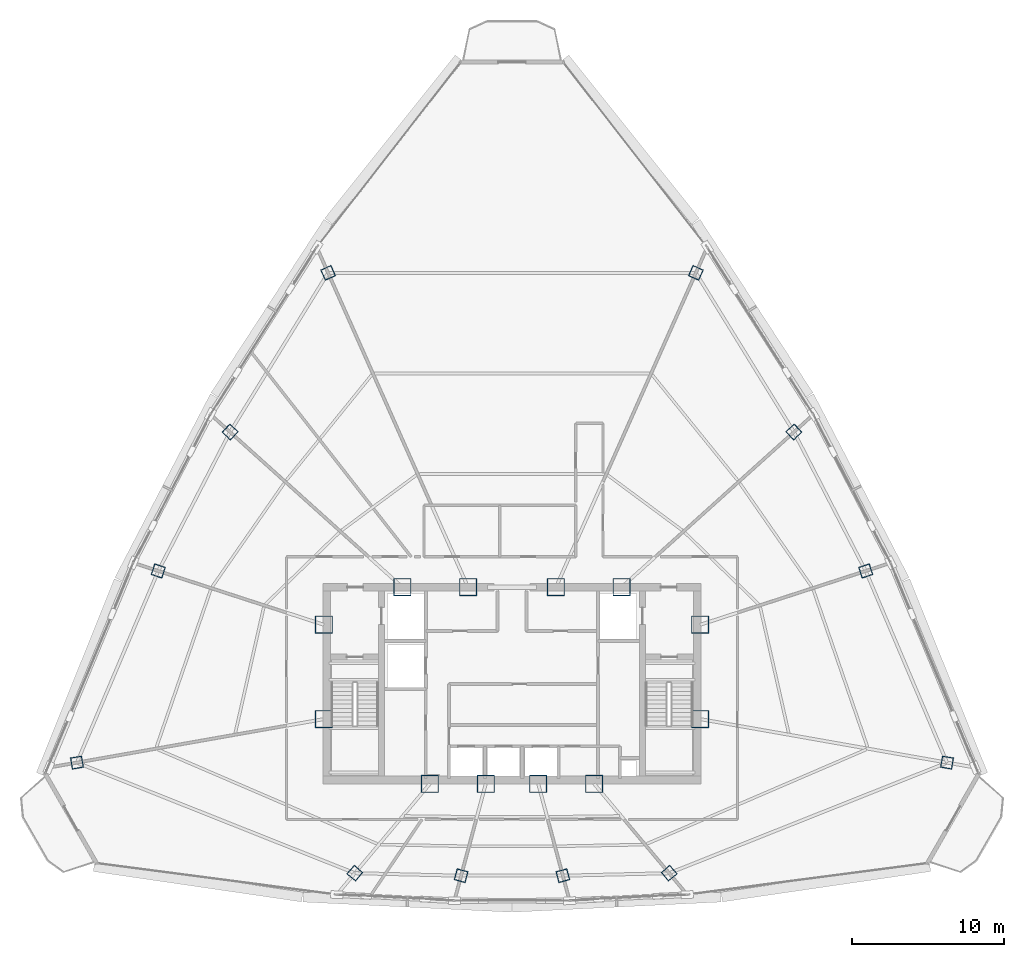
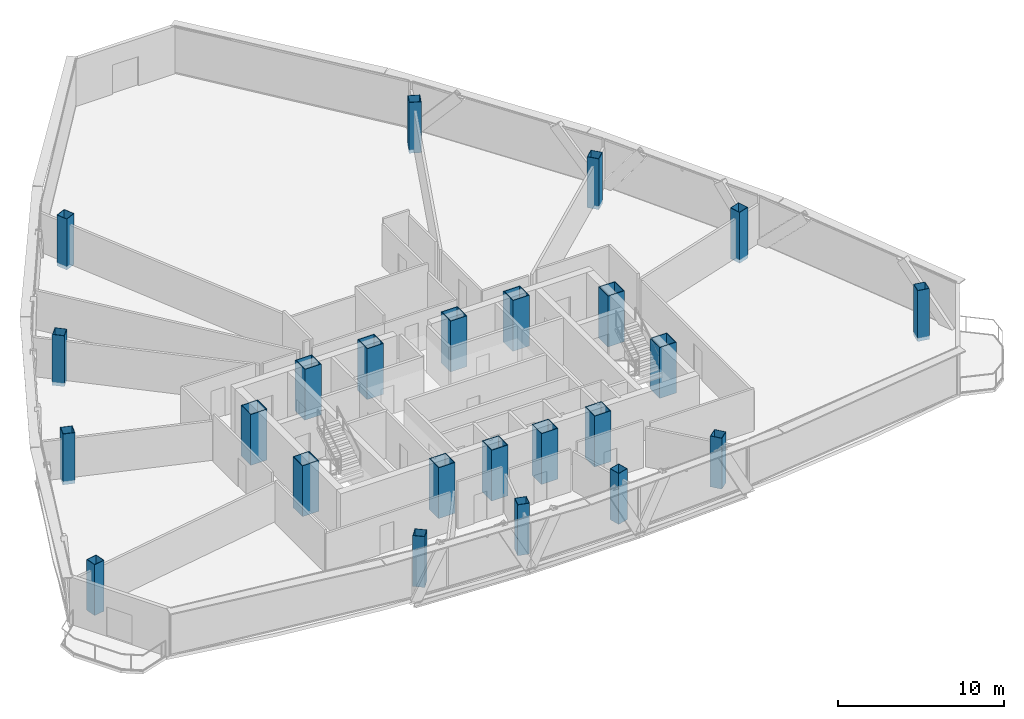
# One storey, part 1 of 35: 24 columns.
"""IFC4 building model written with IfcOpenShell, lengths in metres."""

from ifc_helpers import new_model, si_unit, direction, frame, origin, origin_2d, place, context, subcontext, project, spatial, hollow_rectangle, extrude, source, transform, mapped, material, material_profile, profile_set, type_object, element, save


model = new_model("IFC4")

# Units and contexts
model_context = context("Model", 3, precision=1e-05, world=origin(), true_north=direction((0.0, 1.0)))
body_context = subcontext(model_context, "Body", "Model", "MODEL_VIEW")
ifc_project = project(units=[si_unit("LENGTHUNIT", "METRE"), si_unit("AREAUNIT", "SQUARE_METRE"), si_unit("VOLUMEUNIT", "CUBIC_METRE"), si_unit("PLANEANGLEUNIT", "RADIAN"), si_unit("MASSUNIT", "GRAM", prefix="KILO"), si_unit("THERMODYNAMICTEMPERATUREUNIT", "KELVIN"), si_unit("POWERUNIT", "WATT")], contexts=[model_context])

# Site, building, storey
site_placement = place(None, origin())
site = spatial("IfcSite", under=ifc_project, at=site_placement, CompositionType="ELEMENT")
building_placement = place(site_placement, origin())
building = spatial("IfcBuilding", under=site, at=building_placement, Name="Yunzhuo Pagoda Commons", CompositionType="ELEMENT")
storey_placement = place(building_placement, frame((0.0, 0.0, 303.669921875)))
storey = spatial("IfcBuildingStorey", under=building, at=storey_placement, Name="L76", CompositionType="ELEMENT", Elevation=303.669921875)

# Columns
ifc_material_1 = material(Name="Structural steel Q420B", Category="steel")
ifc_material_profile_1 = material_profile(ifc_material_1, hollow_rectangle(XDim=1.14990234375, YDim=1.14990234375, WallThickness=0.048095703125, at=origin_2d()), Name="Structural steel Q420B")
ifc_profile_set_1 = profile_set([ifc_material_profile_1], Name="Structural steel Q420B")
column_type_1 = type_object("IfcColumnType", Name="C-COR Column BOX 1150x1150x48", PredefinedType="COLUMN", material=ifc_profile_set_1)
shared_shape_1 = source(origin(), body_context, "Body", "SweptSolid", [
    extrude(hollow_rectangle(XDim=1.14990234375, YDim=1.14990234375, WallThickness=0.048095703125, at=origin_2d()), origin(), (0.0, 0.0, 1.0), 3.72998046875),
])
for number, where, z_axis, x_axis, name in (
    (1, (42.587890625, 27.25, -0.260009765625), (0.0, 0.0, 1.0), (1.0, 0.0, 0.0), "L76 core composite column F1C1"),
    (2, (46.27197265625, 27.25, -0.260009765625), (0.0, 0.0, 1.0), (1.0, 0.0, 0.0), "L76 core composite column F1C2"),
    (3, (49.728515625, 27.25, -0.260009765625), (0.0, 0.0, 1.0), (1.0, 0.0, 0.0), "L76 core composite column F1C3"),
    (4, (53.412109375, 27.25, -0.260009765625), (0.0, 0.0, 1.0), (1.0, 0.0, 0.0), "L76 core composite column F1C4"),
    (5, (60.39990234375, 31.513427734375, -0.260009765625), (0.0, 0.0, 1.0), (1.0, 0.0, 0.0), "L76 core composite column F2C1"),
    (6, (60.39990234375, 37.72900390625, -0.260009765625), (0.0, 0.0, 1.0), (1.0, 0.0, 0.0), "L76 core composite column F2C2"),
    (7, (55.218994140625, 40.199951171875, -0.260009765625), (0.0, 0.0, 1.0), (1.0, 0.0, 0.0), "L76 core composite column F2C3"),
    (8, (50.89404296875, 40.199951171875, -0.260009765625), (0.0, 0.0, 1.0), (1.0, 0.0, 0.0), "L76 core composite column F2C4"),
    (9, (45.10595703125, 40.199951171875, -0.260009765625), (0.0, 0.0, 1.0), (1.0, 0.0, 0.0), "L76 core composite column F3C1"),
    (10, (40.781005859375, 40.199951171875, -0.260009765625), (0.0, 0.0, 1.0), (1.0, 0.0, 0.0), "L76 core composite column F3C2"),
    (11, (35.60009765625, 37.72900390625, -0.260009765625), (0.0, 0.0, 1.0), (1.0, 0.0, 0.0), "L76 core composite column F3C3"),
    (12, (35.60009765625, 31.513427734375, -0.260009765625), (0.0, 0.0, 1.0), (1.0, 0.0, 0.0), "L76 core composite column F3C4"),
):
    element("IfcColumn", number, at=place(storey_placement, frame(where, z_axis=z_axis, x_axis=x_axis)), inside=storey, type_object=column_type_1, Name=name, PredefinedType="COLUMN", context=body_context, shape_type="MappedRepresentation", body=[
        mapped(shared_shape_1, transform((0.0, 0.0, 0.0), scale=1.0)),
    ])
ifc_material_2 = material(Name="Structural steel Q355B", Category="steel")
ifc_material_profile_2 = material_profile(ifc_material_2, hollow_rectangle(XDim=0.75, YDim=0.75, WallThickness=0.028076171875, at=origin_2d()), Name="Structural steel Q355B")
ifc_profile_set_2 = profile_set([ifc_material_profile_2], Name="Structural steel Q355B")
column_type_2 = type_object("IfcColumnType", Name="C-Z6 Column BOX 750x750x28", PredefinedType="COLUMN", material=ifc_profile_set_2)
shared_shape_2 = source(origin(), body_context, "Body", "SweptSolid", [
    extrude(hollow_rectangle(XDim=0.75, YDim=0.75, WallThickness=0.028076171875, at=origin_2d()), origin(), (0.0, 0.0, 1.0), 3.72998046875),
])
for number, where, z_axis, x_axis, name in (
    (13, (37.64697265625, 21.361572265625, -0.260009765625), (0.0, 0.0, 1.0), (0.766044443119, -0.642787609687, 0.0), "L76 tower column F1C1"),
    (14, (44.6494140625, 21.195556640625, -0.260009765625), (0.0, 0.0, 1.0), (0.965925826289, -0.258819045103, 0.0), "L76 tower column F1C2"),
    (15, (51.3505859375, 21.195556640625, -0.260009765625), (0.0, 0.0, 1.0), (0.965925826289, 0.258819045103, 0.0), "L76 tower column F1C3"),
    (16, (58.353515625, 21.361572265625, -0.260009765625), (0.0, 0.0, 1.0), (0.766044443119, 0.642787609687, 0.0), "L76 tower column F1C4"),
    (17, (76.66162109375, 28.646240234375, -0.260009765625), (0.0, 0.0, 1.0), (0.173648177667, 0.984807753012, 0.0), "L76 tower column F2C1"),
    (18, (71.302490234375, 41.271484375, -0.260009765625), (0.0, 0.0, 1.0), (-0.309016994375, 0.951056516295, 0.0), "L76 tower column F2C2"),
    (19, (66.5732421875, 50.423583984375, -0.260009765625), (0.0, 0.0, 1.0), (-0.669130606359, 0.743144825477, 0.0), "L76 tower column F2C3"),
    (20, (60.1142578125, 60.9091796875, -0.260009765625), (0.0, 0.0, 1.0), (-0.913545457643, 0.406736643076, 0.0), "L76 tower column F2C4"),
    (21, (35.8857421875, 60.9091796875, -0.260009765625), (0.0, 0.0, 1.0), (-0.913545457643, -0.406736643076, 0.0), "L76 tower column F3C1"),
    (22, (29.4267578125, 50.423583984375, -0.260009765625), (0.0, 0.0, 1.0), (-0.669130606359, -0.743144825477, 0.0), "L76 tower column F3C2"),
    (23, (24.697509765625, 41.271484375, -0.260009765625), (0.0, 0.0, 1.0), (-0.309016994375, -0.951056516295, 0.0), "L76 tower column F3C3"),
    (24, (19.33837890625, 28.646240234375, -0.260009765625), (0.0, 0.0, 1.0), (0.173648177667, -0.984807753012, 0.0), "L76 tower column F3C4"),
):
    element("IfcColumn", number, at=place(storey_placement, frame(where, z_axis=z_axis, x_axis=x_axis)), inside=storey, type_object=column_type_2, Name=name, PredefinedType="COLUMN", context=body_context, shape_type="MappedRepresentation", body=[
        mapped(shared_shape_2, transform((0.0, 0.0, 0.0), scale=1.0)),
    ])

save(model, "model.ifc")
